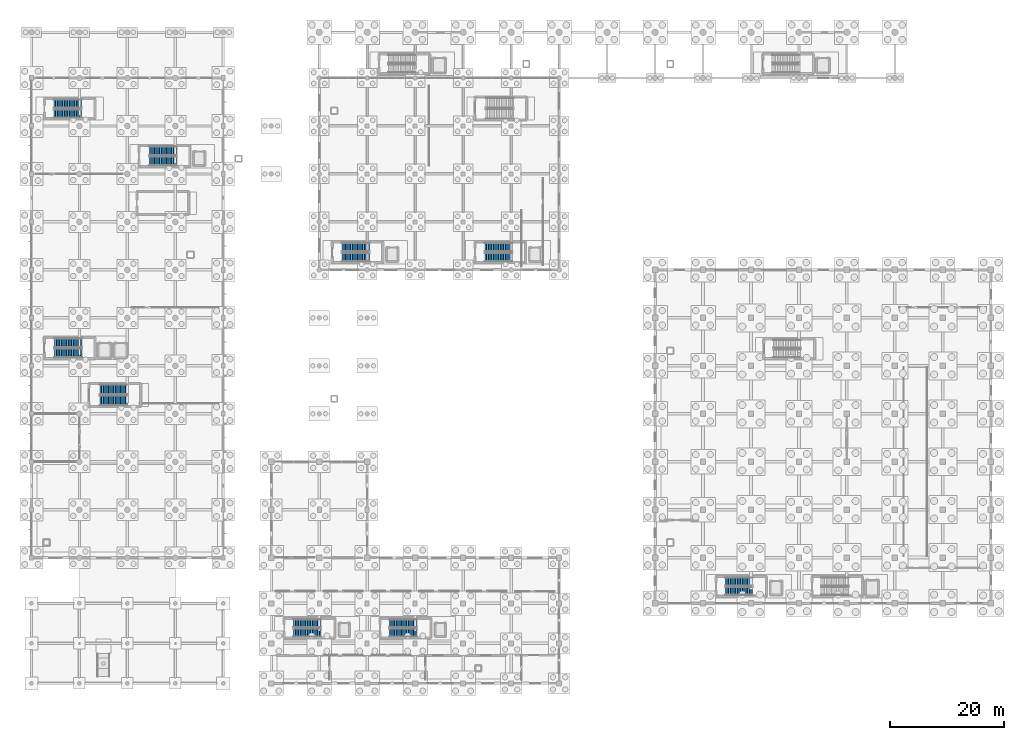
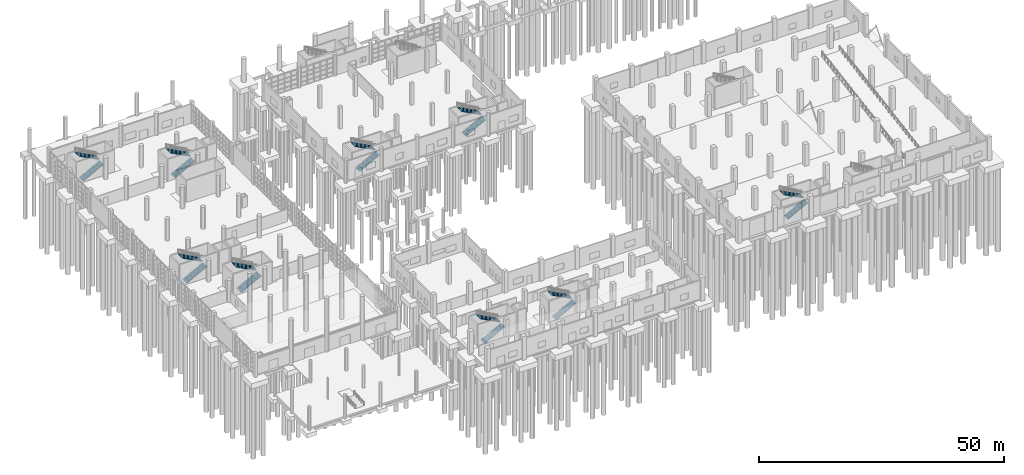
# One storey, part 61 of 83: 18 stair flights, 9 elements without a shape of their own.
"""IFC4 building model written with IfcOpenShell, lengths in metres."""

from ifc_helpers import new_model, si_unit, direction, frame, origin, place, context, subcontext, project, spatial, polyline, outline, extrude, material, layer, layer_set, type_object, element, aggregate, save


model = new_model("IFC4")

# Units and contexts
model_context = context("Model", 3, precision=1e-05, world=origin(), true_north=direction((0.0, 1.0)))
body_context = subcontext(model_context, "Body", "Model", "MODEL_VIEW")
ifc_project = project(units=[si_unit("LENGTHUNIT", "METRE"), si_unit("AREAUNIT", "SQUARE_METRE"), si_unit("VOLUMEUNIT", "CUBIC_METRE"), si_unit("PLANEANGLEUNIT", "RADIAN"), si_unit("MASSUNIT", "GRAM", prefix="KILO"), si_unit("THERMODYNAMICTEMPERATUREUNIT", "KELVIN"), si_unit("POWERUNIT", "WATT")], contexts=[model_context])

# Site, building, storey
site_placement = place(None, origin())
site = spatial("IfcSite", under=ifc_project, at=site_placement, CompositionType="ELEMENT")
building_placement = place(site_placement, origin())
building = spatial("IfcBuilding", under=site, at=building_placement, Name="Mavoryth Pier Ferry Terminal", CompositionType="ELEMENT")
storey_placement = place(building_placement, origin())
storey = spatial("IfcBuildingStorey", under=building, at=storey_placement, Name="L00", CompositionType="ELEMENT", Elevation=0.0)

# Stair, stair flights
ifc_material = material(Name="Concrete C35/45", Category="concrete")
stair_type_1 = type_object("IfcStairType", Name="Stair-Core-W1500", PredefinedType="TWO_STRAIGHT_RUN_STAIR", material=ifc_material)
stair_1_placement = place(storey_placement, origin())
stair_1 = element("IfcStair", 1, at=stair_1_placement, inside=storey, type_object=stair_type_1, Name="L00 Core C4A Stair", PredefinedType="TWO_STRAIGHT_RUN_STAIR")
ifc_layer_1 = layer(ifc_material, 0.14990234375, Name="Concrete C35/45", Category="concrete")
ifc_layer_set_1 = layer_set([ifc_layer_1], Name="Concrete C35/45 - Flight-Core-W1500")
stair_flight_type_1 = type_object("IfcStairFlightType", Name="Flight-Core-W1500", PredefinedType="STRAIGHT", material=ifc_layer_set_1)
stair_flight_1_placement = place(storey_placement, frame((121.5, 16.14990234375, 0.0), z_axis=(0.0, 0.0, 1.0), x_axis=(1.0, 0.0, 0.0)))
stair_flight_1 = element("IfcStairFlight", 2, at=stair_flight_1_placement, type_object=stair_flight_type_1, Name="ST08 flight 1", NumberOfRisers=17, NumberOfTreads=16, PredefinedType="STRAIGHT", RiserHeight=0.16, TreadLength=0.3, context=body_context, shape_type="SweptSolid", body=[
    extrude(outline(polyline([(0.0, 0.0), (0.0, 0.159912109375), (0.300048828125, 0.159912109375), (0.300048828125, 0.320068359375), (0.60009765625, 0.320068359375), (0.60009765625, 0.47998046875), (0.89990234375, 0.47998046875), (0.89990234375, 0.639892578125), (1.199951171875, 0.639892578125), (1.199951171875, 0.800048828125), (1.5, 0.800048828125), (1.5, 0.9599609375), (1.800048828125, 0.9599609375), (1.800048828125, 1.1201171875), (2.10009765625, 1.1201171875), (2.10009765625, 1.280029296875), (2.39990234375, 1.280029296875), (2.39990234375, 1.43994140625), (2.699951171875, 1.43994140625), (2.699951171875, 1.60009765625), (3.0, 1.60009765625), (3.0, 1.760009765625), (3.300048828125, 1.760009765625), (3.300048828125, 1.919921875), (3.60009765625, 1.919921875), (3.60009765625, 2.080078125), (3.89990234375, 2.080078125), (3.89990234375, 2.239990234375), (4.199951171875, 2.239990234375), (4.199951171875, 2.39990234375), (4.5, 2.39990234375), (4.5, 2.56005859375), (4.800048828125, 2.56005859375), (4.800048828125, 2.719970703125), (4.800048828125, 2.39013671875), (0.318603515625, 0.0), (0.0, 0.0)])), frame((0.0, 0.75, 0.0), z_axis=(0.0, -1.0, 0.0), x_axis=(1.0, 0.0, 0.0)), (0.0, 0.0, 1.0), 1.5),
])
stair_flight_2_placement = place(storey_placement, frame((126.300048828125, 17.800048828125, 2.719970703125), z_axis=(0.0, 0.0, 1.0), x_axis=(-1.0, 0.0, 0.0)))
stair_flight_2 = element("IfcStairFlight", 3, at=stair_flight_2_placement, type_object=stair_flight_type_1, Name="ST08 flight 2", NumberOfRisers=17, NumberOfTreads=16, PredefinedType="STRAIGHT", RiserHeight=0.16, TreadLength=0.3, context=body_context, shape_type="SweptSolid", body=[
    extrude(outline(polyline([(0.0, 0.0), (0.0, 0.159912109375), (0.300048828125, 0.159912109375), (0.300048828125, 0.320068359375), (0.60009765625, 0.320068359375), (0.60009765625, 0.47998046875), (0.89990234375, 0.47998046875), (0.89990234375, 0.639892578125), (1.199951171875, 0.639892578125), (1.199951171875, 0.800048828125), (1.5, 0.800048828125), (1.5, 0.9599609375), (1.800048828125, 0.9599609375), (1.800048828125, 1.1201171875), (2.10009765625, 1.1201171875), (2.10009765625, 1.280029296875), (2.39990234375, 1.280029296875), (2.39990234375, 1.43994140625), (2.699951171875, 1.43994140625), (2.699951171875, 1.60009765625), (3.0, 1.60009765625), (3.0, 1.760009765625), (3.300048828125, 1.760009765625), (3.300048828125, 1.919921875), (3.60009765625, 1.919921875), (3.60009765625, 2.080078125), (3.89990234375, 2.080078125), (3.89990234375, 2.239990234375), (4.199951171875, 2.239990234375), (4.199951171875, 2.39990234375), (4.5, 2.39990234375), (4.5, 2.56005859375), (4.800048828125, 2.56005859375), (4.800048828125, 2.719970703125), (4.800048828125, 2.39013671875), (0.318603515625, 0.0), (0.0, 0.0)])), frame((0.0, 0.75, 0.0), z_axis=(0.0, -1.0, 0.0), x_axis=(1.0, 0.0, 0.0)), (0.0, 0.0, 1.0), 1.5),
])
aggregate(stair_1, [stair_flight_1, stair_flight_2])

stair_2_placement = place(storey_placement, origin())
stair_2 = element("IfcStair", 4, at=stair_2_placement, inside=storey, type_object=stair_type_1, Name="L00 Core C5A Stair", PredefinedType="TWO_STRAIGHT_RUN_STAIR")
stair_flight_3_placement = place(storey_placement, frame((45.89990234375, 8.85009765625, 0.0), z_axis=(0.0, 0.0, 1.0), x_axis=(1.0, 0.0, 0.0)))
stair_flight_3 = element("IfcStairFlight", 5, at=stair_flight_3_placement, type_object=stair_flight_type_1, Name="ST11 flight 1", NumberOfRisers=17, NumberOfTreads=16, PredefinedType="STRAIGHT", RiserHeight=0.16, TreadLength=0.3, context=body_context, shape_type="SweptSolid", body=[
    extrude(outline(polyline([(0.0, 0.0), (0.0, 0.159912109375), (0.300048828125, 0.159912109375), (0.300048828125, 0.320068359375), (0.60009765625, 0.320068359375), (0.60009765625, 0.47998046875), (0.89990234375, 0.47998046875), (0.89990234375, 0.639892578125), (1.199951171875, 0.639892578125), (1.199951171875, 0.800048828125), (1.5, 0.800048828125), (1.5, 0.9599609375), (1.800048828125, 0.9599609375), (1.800048828125, 1.1201171875), (2.10009765625, 1.1201171875), (2.10009765625, 1.280029296875), (2.39990234375, 1.280029296875), (2.39990234375, 1.43994140625), (2.699951171875, 1.43994140625), (2.699951171875, 1.60009765625), (3.0, 1.60009765625), (3.0, 1.760009765625), (3.300048828125, 1.760009765625), (3.300048828125, 1.919921875), (3.60009765625, 1.919921875), (3.60009765625, 2.080078125), (3.89990234375, 2.080078125), (3.89990234375, 2.239990234375), (4.199951171875, 2.239990234375), (4.199951171875, 2.39990234375), (4.5, 2.39990234375), (4.5, 2.56005859375), (4.800048828125, 2.56005859375), (4.800048828125, 2.719970703125), (4.800048828125, 2.39013671875), (0.318603515625, 0.0), (0.0, 0.0)])), frame((0.0, 0.75, 0.0), z_axis=(0.0, -1.0, 0.0), x_axis=(1.0, 0.0, 0.0)), (0.0, 0.0, 1.0), 1.5),
])
stair_flight_4_placement = place(storey_placement, frame((50.699951171875, 10.5, 2.719970703125), z_axis=(0.0, 0.0, 1.0), x_axis=(-1.0, 0.0, 0.0)))
stair_flight_4 = element("IfcStairFlight", 6, at=stair_flight_4_placement, type_object=stair_flight_type_1, Name="ST11 flight 2", NumberOfRisers=17, NumberOfTreads=16, PredefinedType="STRAIGHT", RiserHeight=0.16, TreadLength=0.3, context=body_context, shape_type="SweptSolid", body=[
    extrude(outline(polyline([(0.0, 0.0), (0.0, 0.159912109375), (0.300048828125, 0.159912109375), (0.300048828125, 0.320068359375), (0.60009765625, 0.320068359375), (0.60009765625, 0.47998046875), (0.89990234375, 0.47998046875), (0.89990234375, 0.639892578125), (1.199951171875, 0.639892578125), (1.199951171875, 0.800048828125), (1.5, 0.800048828125), (1.5, 0.9599609375), (1.800048828125, 0.9599609375), (1.800048828125, 1.1201171875), (2.10009765625, 1.1201171875), (2.10009765625, 1.280029296875), (2.39990234375, 1.280029296875), (2.39990234375, 1.43994140625), (2.699951171875, 1.43994140625), (2.699951171875, 1.60009765625), (3.0, 1.60009765625), (3.0, 1.760009765625), (3.300048828125, 1.760009765625), (3.300048828125, 1.919921875), (3.60009765625, 1.919921875), (3.60009765625, 2.080078125), (3.89990234375, 2.080078125), (3.89990234375, 2.239990234375), (4.199951171875, 2.239990234375), (4.199951171875, 2.39990234375), (4.5, 2.39990234375), (4.5, 2.56005859375), (4.800048828125, 2.56005859375), (4.800048828125, 2.719970703125), (4.800048828125, 2.39013671875), (0.318603515625, 0.0), (0.0, 0.0)])), frame((0.0, 0.75, 0.0), z_axis=(0.0, -1.0, 0.0), x_axis=(1.0, 0.0, 0.0)), (0.0, 0.0, 1.0), 1.5),
])
aggregate(stair_2, [stair_flight_3, stair_flight_4])

stair_3_placement = place(storey_placement, origin())
stair_3 = element("IfcStair", 7, at=stair_3_placement, inside=storey, type_object=stair_type_1, Name="L00 Core C5B Stair", PredefinedType="TWO_STRAIGHT_RUN_STAIR")
stair_flight_5_placement = place(storey_placement, frame((62.699951171875, 8.85009765625, 0.0), z_axis=(0.0, 0.0, 1.0), x_axis=(1.0, 0.0, 0.0)))
stair_flight_5 = element("IfcStairFlight", 8, at=stair_flight_5_placement, type_object=stair_flight_type_1, Name="ST12 flight 1", NumberOfRisers=17, NumberOfTreads=16, PredefinedType="STRAIGHT", RiserHeight=0.16, TreadLength=0.3, context=body_context, shape_type="SweptSolid", body=[
    extrude(outline(polyline([(0.0, 0.0), (0.0, 0.159912109375), (0.300048828125, 0.159912109375), (0.300048828125, 0.320068359375), (0.60009765625, 0.320068359375), (0.60009765625, 0.47998046875), (0.89990234375, 0.47998046875), (0.89990234375, 0.639892578125), (1.199951171875, 0.639892578125), (1.199951171875, 0.800048828125), (1.5, 0.800048828125), (1.5, 0.9599609375), (1.800048828125, 0.9599609375), (1.800048828125, 1.1201171875), (2.10009765625, 1.1201171875), (2.10009765625, 1.280029296875), (2.39990234375, 1.280029296875), (2.39990234375, 1.43994140625), (2.699951171875, 1.43994140625), (2.699951171875, 1.60009765625), (3.0, 1.60009765625), (3.0, 1.760009765625), (3.300048828125, 1.760009765625), (3.300048828125, 1.919921875), (3.60009765625, 1.919921875), (3.60009765625, 2.080078125), (3.89990234375, 2.080078125), (3.89990234375, 2.239990234375), (4.199951171875, 2.239990234375), (4.199951171875, 2.39990234375), (4.5, 2.39990234375), (4.5, 2.56005859375), (4.800048828125, 2.56005859375), (4.800048828125, 2.719970703125), (4.800048828125, 2.39013671875), (0.318603515625, 0.0), (0.0, 0.0)])), frame((0.0, 0.75, 0.0), z_axis=(0.0, -1.0, 0.0), x_axis=(1.0, 0.0, 0.0)), (0.0, 0.0, 1.0), 1.5),
])
stair_flight_6_placement = place(storey_placement, frame((67.5, 10.5, 2.719970703125), z_axis=(0.0, 0.0, 1.0), x_axis=(-1.0, 0.0, 0.0)))
stair_flight_6 = element("IfcStairFlight", 9, at=stair_flight_6_placement, type_object=stair_flight_type_1, Name="ST12 flight 2", NumberOfRisers=17, NumberOfTreads=16, PredefinedType="STRAIGHT", RiserHeight=0.16, TreadLength=0.3, context=body_context, shape_type="SweptSolid", body=[
    extrude(outline(polyline([(0.0, 0.0), (0.0, 0.159912109375), (0.300048828125, 0.159912109375), (0.300048828125, 0.320068359375), (0.60009765625, 0.320068359375), (0.60009765625, 0.47998046875), (0.89990234375, 0.47998046875), (0.89990234375, 0.639892578125), (1.199951171875, 0.639892578125), (1.199951171875, 0.800048828125), (1.5, 0.800048828125), (1.5, 0.9599609375), (1.800048828125, 0.9599609375), (1.800048828125, 1.1201171875), (2.10009765625, 1.1201171875), (2.10009765625, 1.280029296875), (2.39990234375, 1.280029296875), (2.39990234375, 1.43994140625), (2.699951171875, 1.43994140625), (2.699951171875, 1.60009765625), (3.0, 1.60009765625), (3.0, 1.760009765625), (3.300048828125, 1.760009765625), (3.300048828125, 1.919921875), (3.60009765625, 1.919921875), (3.60009765625, 2.080078125), (3.89990234375, 2.080078125), (3.89990234375, 2.239990234375), (4.199951171875, 2.239990234375), (4.199951171875, 2.39990234375), (4.5, 2.39990234375), (4.5, 2.56005859375), (4.800048828125, 2.56005859375), (4.800048828125, 2.719970703125), (4.800048828125, 2.39013671875), (0.318603515625, 0.0), (0.0, 0.0)])), frame((0.0, 0.75, 0.0), z_axis=(0.0, -1.0, 0.0), x_axis=(1.0, 0.0, 0.0)), (0.0, 0.0, 1.0), 1.5),
])
aggregate(stair_3, [stair_flight_5, stair_flight_6])

stair_type_2 = type_object("IfcStairType", Name="Stair-Core-W1550", PredefinedType="TWO_STRAIGHT_RUN_STAIR", material=ifc_material)
stair_4_placement = place(storey_placement, origin())
stair_4 = element("IfcStair", 10, at=stair_4_placement, inside=storey, type_object=stair_type_2, Name="L00 Core C1C Stair", PredefinedType="TWO_STRAIGHT_RUN_STAIR")
ifc_layer_2 = layer(ifc_material, 0.14990234375, Name="Concrete C35/45", Category="concrete")
ifc_layer_set_2 = layer_set([ifc_layer_2], Name="Concrete C35/45 - Flight-Core-W1550")
stair_flight_type_2 = type_object("IfcStairFlightType", Name="Flight-Core-W1550", PredefinedType="STRAIGHT", material=ifc_layer_set_2)
stair_flight_7_placement = place(storey_placement, frame((3.949951171875, 99.77490234375, 0.0), z_axis=(0.0, 0.0, 1.0), x_axis=(1.0, 0.0, 0.0)))
stair_flight_7 = element("IfcStairFlight", 11, at=stair_flight_7_placement, type_object=stair_flight_type_2, Name="ST03 flight 1", NumberOfRisers=17, NumberOfTreads=16, PredefinedType="STRAIGHT", RiserHeight=0.16, TreadLength=0.3, context=body_context, shape_type="SweptSolid", body=[
    extrude(outline(polyline([(0.0, 0.0), (0.0, 0.159912109375), (0.300048828125, 0.159912109375), (0.300048828125, 0.320068359375), (0.60009765625, 0.320068359375), (0.60009765625, 0.47998046875), (0.89990234375, 0.47998046875), (0.89990234375, 0.639892578125), (1.199951171875, 0.639892578125), (1.199951171875, 0.800048828125), (1.5, 0.800048828125), (1.5, 0.9599609375), (1.800048828125, 0.9599609375), (1.800048828125, 1.1201171875), (2.10009765625, 1.1201171875), (2.10009765625, 1.280029296875), (2.39990234375, 1.280029296875), (2.39990234375, 1.43994140625), (2.699951171875, 1.43994140625), (2.699951171875, 1.60009765625), (3.0, 1.60009765625), (3.0, 1.760009765625), (3.300048828125, 1.760009765625), (3.300048828125, 1.919921875), (3.60009765625, 1.919921875), (3.60009765625, 2.080078125), (3.89990234375, 2.080078125), (3.89990234375, 2.239990234375), (4.199951171875, 2.239990234375), (4.199951171875, 2.39990234375), (4.5, 2.39990234375), (4.5, 2.56005859375), (4.800048828125, 2.56005859375), (4.800048828125, 2.719970703125), (4.800048828125, 2.39013671875), (0.318603515625, 0.0), (0.0, 0.0)])), frame((0.0, 0.77490234375, 0.0), z_axis=(0.0, -1.0, 0.0), x_axis=(1.0, 0.0, 0.0)), (0.0, 0.0, 1.0), 1.550048828125),
])
stair_flight_8_placement = place(storey_placement, frame((8.75, 101.47509765625, 2.719970703125), z_axis=(0.0, 0.0, 1.0), x_axis=(-1.0, 0.0, 0.0)))
stair_flight_8 = element("IfcStairFlight", 12, at=stair_flight_8_placement, type_object=stair_flight_type_2, Name="ST03 flight 2", NumberOfRisers=17, NumberOfTreads=16, PredefinedType="STRAIGHT", RiserHeight=0.16, TreadLength=0.3, context=body_context, shape_type="SweptSolid", body=[
    extrude(outline(polyline([(0.0, 0.0), (0.0, 0.159912109375), (0.300048828125, 0.159912109375), (0.300048828125, 0.320068359375), (0.60009765625, 0.320068359375), (0.60009765625, 0.47998046875), (0.89990234375, 0.47998046875), (0.89990234375, 0.639892578125), (1.199951171875, 0.639892578125), (1.199951171875, 0.800048828125), (1.5, 0.800048828125), (1.5, 0.9599609375), (1.800048828125, 0.9599609375), (1.800048828125, 1.1201171875), (2.10009765625, 1.1201171875), (2.10009765625, 1.280029296875), (2.39990234375, 1.280029296875), (2.39990234375, 1.43994140625), (2.699951171875, 1.43994140625), (2.699951171875, 1.60009765625), (3.0, 1.60009765625), (3.0, 1.760009765625), (3.300048828125, 1.760009765625), (3.300048828125, 1.919921875), (3.60009765625, 1.919921875), (3.60009765625, 2.080078125), (3.89990234375, 2.080078125), (3.89990234375, 2.239990234375), (4.199951171875, 2.239990234375), (4.199951171875, 2.39990234375), (4.5, 2.39990234375), (4.5, 2.56005859375), (4.800048828125, 2.56005859375), (4.800048828125, 2.719970703125), (4.800048828125, 2.39013671875), (0.318603515625, 0.0), (0.0, 0.0)])), frame((0.0, 0.77490234375, 0.0), z_axis=(0.0, -1.0, 0.0), x_axis=(1.0, 0.0, 0.0)), (0.0, 0.0, 1.0), 1.550048828125),
])
aggregate(stair_4, [stair_flight_7, stair_flight_8])

stair_type_3 = type_object("IfcStairType", Name="Stair-Core-W1600", PredefinedType="TWO_STRAIGHT_RUN_STAIR", material=ifc_material)
stair_5_placement = place(storey_placement, origin())
stair_5 = element("IfcStair", 13, at=stair_5_placement, inside=storey, type_object=stair_type_3, Name="L00 Core C2A Stair", PredefinedType="TWO_STRAIGHT_RUN_STAIR")
ifc_layer_3 = layer(ifc_material, 0.159912109375, Name="Concrete C35/45", Category="concrete")
ifc_layer_set_3 = layer_set([ifc_layer_3], Name="Concrete C35/45 - Flight-Core-W1600")
stair_flight_type_3 = type_object("IfcStairFlightType", Name="Flight-Core-W1600", PredefinedType="STRAIGHT", material=ifc_layer_set_3)
stair_flight_9_placement = place(storey_placement, frame((54.39990234375, 74.60009765625, 0.0), z_axis=(0.0, 0.0, 1.0), x_axis=(1.0, 0.0, 0.0)))
stair_flight_9 = element("IfcStairFlight", 14, at=stair_flight_9_placement, type_object=stair_flight_type_3, Name="ST04 flight 1", NumberOfRisers=17, NumberOfTreads=16, PredefinedType="STRAIGHT", RiserHeight=0.16, TreadLength=0.3, context=body_context, shape_type="SweptSolid", body=[
    extrude(outline(polyline([(0.0, 0.0), (0.0, 0.159912109375), (0.300048828125, 0.159912109375), (0.300048828125, 0.320068359375), (0.60009765625, 0.320068359375), (0.60009765625, 0.47998046875), (0.89990234375, 0.47998046875), (0.89990234375, 0.639892578125), (1.199951171875, 0.639892578125), (1.199951171875, 0.800048828125), (1.5, 0.800048828125), (1.5, 0.9599609375), (1.800048828125, 0.9599609375), (1.800048828125, 1.1201171875), (2.10009765625, 1.1201171875), (2.10009765625, 1.280029296875), (2.39990234375, 1.280029296875), (2.39990234375, 1.43994140625), (2.699951171875, 1.43994140625), (2.699951171875, 1.60009765625), (3.0, 1.60009765625), (3.0, 1.760009765625), (3.300048828125, 1.760009765625), (3.300048828125, 1.919921875), (3.60009765625, 1.919921875), (3.60009765625, 2.080078125), (3.89990234375, 2.080078125), (3.89990234375, 2.239990234375), (4.199951171875, 2.239990234375), (4.199951171875, 2.39990234375), (4.5, 2.39990234375), (4.5, 2.56005859375), (4.800048828125, 2.56005859375), (4.800048828125, 2.719970703125), (4.800048828125, 2.39013671875), (0.318603515625, 0.0), (0.0, 0.0)])), frame((0.0, 0.800048828125, 0.0), z_axis=(0.0, -1.0, 0.0), x_axis=(1.0, 0.0, 0.0)), (0.0, 0.0, 1.0), 1.60009765625),
])
stair_flight_10_placement = place(storey_placement, frame((59.199951171875, 76.35009765625, 2.719970703125), z_axis=(0.0, 0.0, 1.0), x_axis=(-1.0, 0.0, 0.0)))
stair_flight_10 = element("IfcStairFlight", 15, at=stair_flight_10_placement, type_object=stair_flight_type_3, Name="ST04 flight 2", NumberOfRisers=17, NumberOfTreads=16, PredefinedType="STRAIGHT", RiserHeight=0.16, TreadLength=0.3, context=body_context, shape_type="SweptSolid", body=[
    extrude(outline(polyline([(0.0, 0.0), (0.0, 0.159912109375), (0.300048828125, 0.159912109375), (0.300048828125, 0.320068359375), (0.60009765625, 0.320068359375), (0.60009765625, 0.47998046875), (0.89990234375, 0.47998046875), (0.89990234375, 0.639892578125), (1.199951171875, 0.639892578125), (1.199951171875, 0.800048828125), (1.5, 0.800048828125), (1.5, 0.9599609375), (1.800048828125, 0.9599609375), (1.800048828125, 1.1201171875), (2.10009765625, 1.1201171875), (2.10009765625, 1.280029296875), (2.39990234375, 1.280029296875), (2.39990234375, 1.43994140625), (2.699951171875, 1.43994140625), (2.699951171875, 1.60009765625), (3.0, 1.60009765625), (3.0, 1.760009765625), (3.300048828125, 1.760009765625), (3.300048828125, 1.919921875), (3.60009765625, 1.919921875), (3.60009765625, 2.080078125), (3.89990234375, 2.080078125), (3.89990234375, 2.239990234375), (4.199951171875, 2.239990234375), (4.199951171875, 2.39990234375), (4.5, 2.39990234375), (4.5, 2.56005859375), (4.800048828125, 2.56005859375), (4.800048828125, 2.719970703125), (4.800048828125, 2.39013671875), (0.318603515625, 0.0), (0.0, 0.0)])), frame((0.0, 0.800048828125, 0.0), z_axis=(0.0, -1.0, 0.0), x_axis=(1.0, 0.0, 0.0)), (0.0, 0.0, 1.0), 1.60009765625),
])
aggregate(stair_5, [stair_flight_9, stair_flight_10])

stair_6_placement = place(storey_placement, origin())
stair_6 = element("IfcStair", 16, at=stair_6_placement, inside=storey, type_object=stair_type_3, Name="L00 Core C2B Stair", PredefinedType="TWO_STRAIGHT_RUN_STAIR")
stair_flight_11_placement = place(storey_placement, frame((79.39990234375, 74.60009765625, 0.0), z_axis=(0.0, 0.0, 1.0), x_axis=(1.0, 0.0, 0.0)))
stair_flight_11 = element("IfcStairFlight", 17, at=stair_flight_11_placement, type_object=stair_flight_type_3, Name="ST05 flight 1", NumberOfRisers=17, NumberOfTreads=16, PredefinedType="STRAIGHT", RiserHeight=0.16, TreadLength=0.3, context=body_context, shape_type="SweptSolid", body=[
    extrude(outline(polyline([(0.0, 0.0), (0.0, 0.159912109375), (0.300048828125, 0.159912109375), (0.300048828125, 0.320068359375), (0.60009765625, 0.320068359375), (0.60009765625, 0.47998046875), (0.89990234375, 0.47998046875), (0.89990234375, 0.639892578125), (1.199951171875, 0.639892578125), (1.199951171875, 0.800048828125), (1.5, 0.800048828125), (1.5, 0.9599609375), (1.800048828125, 0.9599609375), (1.800048828125, 1.1201171875), (2.10009765625, 1.1201171875), (2.10009765625, 1.280029296875), (2.39990234375, 1.280029296875), (2.39990234375, 1.43994140625), (2.699951171875, 1.43994140625), (2.699951171875, 1.60009765625), (3.0, 1.60009765625), (3.0, 1.760009765625), (3.300048828125, 1.760009765625), (3.300048828125, 1.919921875), (3.60009765625, 1.919921875), (3.60009765625, 2.080078125), (3.89990234375, 2.080078125), (3.89990234375, 2.239990234375), (4.199951171875, 2.239990234375), (4.199951171875, 2.39990234375), (4.5, 2.39990234375), (4.5, 2.56005859375), (4.800048828125, 2.56005859375), (4.800048828125, 2.719970703125), (4.800048828125, 2.39013671875), (0.318603515625, 0.0), (0.0, 0.0)])), frame((0.0, 0.800048828125, 0.0), z_axis=(0.0, -1.0, 0.0), x_axis=(1.0, 0.0, 0.0)), (0.0, 0.0, 1.0), 1.60009765625),
])
stair_flight_12_placement = place(storey_placement, frame((84.199951171875, 76.35009765625, 2.719970703125), z_axis=(0.0, 0.0, 1.0), x_axis=(-1.0, 0.0, 0.0)))
stair_flight_12 = element("IfcStairFlight", 18, at=stair_flight_12_placement, type_object=stair_flight_type_3, Name="ST05 flight 2", NumberOfRisers=17, NumberOfTreads=16, PredefinedType="STRAIGHT", RiserHeight=0.16, TreadLength=0.3, context=body_context, shape_type="SweptSolid", body=[
    extrude(outline(polyline([(0.0, 0.0), (0.0, 0.159912109375), (0.300048828125, 0.159912109375), (0.300048828125, 0.320068359375), (0.60009765625, 0.320068359375), (0.60009765625, 0.47998046875), (0.89990234375, 0.47998046875), (0.89990234375, 0.639892578125), (1.199951171875, 0.639892578125), (1.199951171875, 0.800048828125), (1.5, 0.800048828125), (1.5, 0.9599609375), (1.800048828125, 0.9599609375), (1.800048828125, 1.1201171875), (2.10009765625, 1.1201171875), (2.10009765625, 1.280029296875), (2.39990234375, 1.280029296875), (2.39990234375, 1.43994140625), (2.699951171875, 1.43994140625), (2.699951171875, 1.60009765625), (3.0, 1.60009765625), (3.0, 1.760009765625), (3.300048828125, 1.760009765625), (3.300048828125, 1.919921875), (3.60009765625, 1.919921875), (3.60009765625, 2.080078125), (3.89990234375, 2.080078125), (3.89990234375, 2.239990234375), (4.199951171875, 2.239990234375), (4.199951171875, 2.39990234375), (4.5, 2.39990234375), (4.5, 2.56005859375), (4.800048828125, 2.56005859375), (4.800048828125, 2.719970703125), (4.800048828125, 2.39013671875), (0.318603515625, 0.0), (0.0, 0.0)])), frame((0.0, 0.800048828125, 0.0), z_axis=(0.0, -1.0, 0.0), x_axis=(1.0, 0.0, 0.0)), (0.0, 0.0, 1.0), 1.60009765625),
])
aggregate(stair_6, [stair_flight_11, stair_flight_12])

stair_type_4 = type_object("IfcStairType", Name="Stair-Core-W1650", PredefinedType="TWO_STRAIGHT_RUN_STAIR", material=ifc_material)
stair_7_placement = place(storey_placement, origin())
stair_7 = element("IfcStair", 19, at=stair_7_placement, inside=storey, type_object=stair_type_4, Name="L00 Core C1A Stair", PredefinedType="TWO_STRAIGHT_RUN_STAIR")
ifc_layer_4 = layer(ifc_material, 0.159912109375, Name="Concrete C35/45", Category="concrete")
ifc_layer_set_4 = layer_set([ifc_layer_4], Name="Concrete C35/45 - Flight-Core-W1650")
stair_flight_type_4 = type_object("IfcStairFlightType", Name="Flight-Core-W1650", PredefinedType="STRAIGHT", material=ifc_layer_set_4)
stair_flight_13_placement = place(storey_placement, frame((4.050048828125, 57.824951171875, 0.0), z_axis=(0.0, 0.0, 1.0), x_axis=(1.0, 0.0, 0.0)))
stair_flight_13 = element("IfcStairFlight", 20, at=stair_flight_13_placement, type_object=stair_flight_type_4, Name="ST01 flight 1", NumberOfRisers=17, NumberOfTreads=16, PredefinedType="STRAIGHT", RiserHeight=0.16, TreadLength=0.3, context=body_context, shape_type="SweptSolid", body=[
    extrude(outline(polyline([(0.0, 0.0), (0.0, 0.159912109375), (0.300048828125, 0.159912109375), (0.300048828125, 0.320068359375), (0.60009765625, 0.320068359375), (0.60009765625, 0.47998046875), (0.89990234375, 0.47998046875), (0.89990234375, 0.639892578125), (1.199951171875, 0.639892578125), (1.199951171875, 0.800048828125), (1.5, 0.800048828125), (1.5, 0.9599609375), (1.800048828125, 0.9599609375), (1.800048828125, 1.1201171875), (2.10009765625, 1.1201171875), (2.10009765625, 1.280029296875), (2.39990234375, 1.280029296875), (2.39990234375, 1.43994140625), (2.699951171875, 1.43994140625), (2.699951171875, 1.60009765625), (3.0, 1.60009765625), (3.0, 1.760009765625), (3.300048828125, 1.760009765625), (3.300048828125, 1.919921875), (3.60009765625, 1.919921875), (3.60009765625, 2.080078125), (3.89990234375, 2.080078125), (3.89990234375, 2.239990234375), (4.199951171875, 2.239990234375), (4.199951171875, 2.39990234375), (4.5, 2.39990234375), (4.5, 2.56005859375), (4.800048828125, 2.56005859375), (4.800048828125, 2.719970703125), (4.800048828125, 2.39013671875), (0.318603515625, 0.0), (0.0, 0.0)])), frame((0.0, 0.824951171875, 0.0), z_axis=(0.0, -1.0, 0.0), x_axis=(1.0, 0.0, 0.0)), (0.0, 0.0, 1.0), 1.64990234375),
])
stair_flight_14_placement = place(storey_placement, frame((8.85009765625, 59.625, 2.719970703125), z_axis=(0.0, 0.0, 1.0), x_axis=(-1.0, 0.0, 0.0)))
stair_flight_14 = element("IfcStairFlight", 21, at=stair_flight_14_placement, type_object=stair_flight_type_4, Name="ST01 flight 2", NumberOfRisers=17, NumberOfTreads=16, PredefinedType="STRAIGHT", RiserHeight=0.16, TreadLength=0.3, context=body_context, shape_type="SweptSolid", body=[
    extrude(outline(polyline([(0.0, 0.0), (0.0, 0.159912109375), (0.300048828125, 0.159912109375), (0.300048828125, 0.320068359375), (0.60009765625, 0.320068359375), (0.60009765625, 0.47998046875), (0.89990234375, 0.47998046875), (0.89990234375, 0.639892578125), (1.199951171875, 0.639892578125), (1.199951171875, 0.800048828125), (1.5, 0.800048828125), (1.5, 0.9599609375), (1.800048828125, 0.9599609375), (1.800048828125, 1.1201171875), (2.10009765625, 1.1201171875), (2.10009765625, 1.280029296875), (2.39990234375, 1.280029296875), (2.39990234375, 1.43994140625), (2.699951171875, 1.43994140625), (2.699951171875, 1.60009765625), (3.0, 1.60009765625), (3.0, 1.760009765625), (3.300048828125, 1.760009765625), (3.300048828125, 1.919921875), (3.60009765625, 1.919921875), (3.60009765625, 2.080078125), (3.89990234375, 2.080078125), (3.89990234375, 2.239990234375), (4.199951171875, 2.239990234375), (4.199951171875, 2.39990234375), (4.5, 2.39990234375), (4.5, 2.56005859375), (4.800048828125, 2.56005859375), (4.800048828125, 2.719970703125), (4.800048828125, 2.39013671875), (0.318603515625, 0.0), (0.0, 0.0)])), frame((0.0, 0.824951171875, 0.0), z_axis=(0.0, -1.0, 0.0), x_axis=(1.0, 0.0, 0.0)), (0.0, 0.0, 1.0), 1.64990234375),
])
aggregate(stair_7, [stair_flight_13, stair_flight_14])

stair_8_placement = place(storey_placement, origin())
stair_8 = element("IfcStair", 22, at=stair_8_placement, inside=storey, type_object=stair_type_4, Name="L00 Core C1B Stair", PredefinedType="TWO_STRAIGHT_RUN_STAIR")
stair_flight_15_placement = place(storey_placement, frame((20.64990234375, 91.425048828125, 0.0), z_axis=(0.0, 0.0, 1.0), x_axis=(1.0, 0.0, 0.0)))
stair_flight_15 = element("IfcStairFlight", 23, at=stair_flight_15_placement, type_object=stair_flight_type_4, Name="ST02 flight 1", NumberOfRisers=17, NumberOfTreads=16, PredefinedType="STRAIGHT", RiserHeight=0.16, TreadLength=0.3, context=body_context, shape_type="SweptSolid", body=[
    extrude(outline(polyline([(0.0, 0.0), (0.0, 0.159912109375), (0.300048828125, 0.159912109375), (0.300048828125, 0.320068359375), (0.60009765625, 0.320068359375), (0.60009765625, 0.47998046875), (0.89990234375, 0.47998046875), (0.89990234375, 0.639892578125), (1.199951171875, 0.639892578125), (1.199951171875, 0.800048828125), (1.5, 0.800048828125), (1.5, 0.9599609375), (1.800048828125, 0.9599609375), (1.800048828125, 1.1201171875), (2.10009765625, 1.1201171875), (2.10009765625, 1.280029296875), (2.39990234375, 1.280029296875), (2.39990234375, 1.43994140625), (2.699951171875, 1.43994140625), (2.699951171875, 1.60009765625), (3.0, 1.60009765625), (3.0, 1.760009765625), (3.300048828125, 1.760009765625), (3.300048828125, 1.919921875), (3.60009765625, 1.919921875), (3.60009765625, 2.080078125), (3.89990234375, 2.080078125), (3.89990234375, 2.239990234375), (4.199951171875, 2.239990234375), (4.199951171875, 2.39990234375), (4.5, 2.39990234375), (4.5, 2.56005859375), (4.800048828125, 2.56005859375), (4.800048828125, 2.719970703125), (4.800048828125, 2.39013671875), (0.318603515625, 0.0), (0.0, 0.0)])), frame((0.0, 0.824951171875, 0.0), z_axis=(0.0, -1.0, 0.0), x_axis=(1.0, 0.0, 0.0)), (0.0, 0.0, 1.0), 1.64990234375),
])
stair_flight_16_placement = place(storey_placement, frame((25.449951171875, 93.22509765625, 2.719970703125), z_axis=(0.0, 0.0, 1.0), x_axis=(-1.0, 0.0, 0.0)))
stair_flight_16 = element("IfcStairFlight", 24, at=stair_flight_16_placement, type_object=stair_flight_type_4, Name="ST02 flight 2", NumberOfRisers=17, NumberOfTreads=16, PredefinedType="STRAIGHT", RiserHeight=0.16, TreadLength=0.3, context=body_context, shape_type="SweptSolid", body=[
    extrude(outline(polyline([(0.0, 0.0), (0.0, 0.159912109375), (0.300048828125, 0.159912109375), (0.300048828125, 0.320068359375), (0.60009765625, 0.320068359375), (0.60009765625, 0.47998046875), (0.89990234375, 0.47998046875), (0.89990234375, 0.639892578125), (1.199951171875, 0.639892578125), (1.199951171875, 0.800048828125), (1.5, 0.800048828125), (1.5, 0.9599609375), (1.800048828125, 0.9599609375), (1.800048828125, 1.1201171875), (2.10009765625, 1.1201171875), (2.10009765625, 1.280029296875), (2.39990234375, 1.280029296875), (2.39990234375, 1.43994140625), (2.699951171875, 1.43994140625), (2.699951171875, 1.60009765625), (3.0, 1.60009765625), (3.0, 1.760009765625), (3.300048828125, 1.760009765625), (3.300048828125, 1.919921875), (3.60009765625, 1.919921875), (3.60009765625, 2.080078125), (3.89990234375, 2.080078125), (3.89990234375, 2.239990234375), (4.199951171875, 2.239990234375), (4.199951171875, 2.39990234375), (4.5, 2.39990234375), (4.5, 2.56005859375), (4.800048828125, 2.56005859375), (4.800048828125, 2.719970703125), (4.800048828125, 2.39013671875), (0.318603515625, 0.0), (0.0, 0.0)])), frame((0.0, 0.824951171875, 0.0), z_axis=(0.0, -1.0, 0.0), x_axis=(1.0, 0.0, 0.0)), (0.0, 0.0, 1.0), 1.64990234375),
])
aggregate(stair_8, [stair_flight_15, stair_flight_16])

stair_type_5 = type_object("IfcStairType", Name="Stair-Feature-W1800", PredefinedType="TWO_STRAIGHT_RUN_STAIR", material=ifc_material)
stair_9_placement = place(storey_placement, origin())
stair_9 = element("IfcStair", 25, at=stair_9_placement, inside=storey, type_object=stair_type_5, Name="L00 Departure Concourse Grand Stair", PredefinedType="TWO_STRAIGHT_RUN_STAIR")
ifc_layer_5 = layer(ifc_material, 0.179931640625, Name="Concrete C35/45", Category="concrete")
ifc_layer_set_5 = layer_set([ifc_layer_5], Name="Concrete C35/45 - Flight-Feature-W1800")
stair_flight_type_5 = type_object("IfcStairFlightType", Name="Flight-Feature-W1800", PredefinedType="STRAIGHT", material=ifc_layer_set_5)
stair_flight_17_placement = place(storey_placement, frame((12.0, 49.5, 0.0), z_axis=(0.0, 0.0, 1.0), x_axis=(1.0, 0.0, 0.0)))
stair_flight_17 = element("IfcStairFlight", 26, at=stair_flight_17_placement, type_object=stair_flight_type_5, Name="ST13 flight 1", NumberOfRisers=17, NumberOfTreads=16, PredefinedType="STRAIGHT", RiserHeight=0.16, TreadLength=0.3, context=body_context, shape_type="SweptSolid", body=[
    extrude(outline(polyline([(0.0, 0.0), (0.0, 0.159912109375), (0.300048828125, 0.159912109375), (0.300048828125, 0.320068359375), (0.60009765625, 0.320068359375), (0.60009765625, 0.47998046875), (0.89990234375, 0.47998046875), (0.89990234375, 0.639892578125), (1.199951171875, 0.639892578125), (1.199951171875, 0.800048828125), (1.5, 0.800048828125), (1.5, 0.9599609375), (1.800048828125, 0.9599609375), (1.800048828125, 1.1201171875), (2.10009765625, 1.1201171875), (2.10009765625, 1.280029296875), (2.39990234375, 1.280029296875), (2.39990234375, 1.43994140625), (2.699951171875, 1.43994140625), (2.699951171875, 1.60009765625), (3.0, 1.60009765625), (3.0, 1.760009765625), (3.300048828125, 1.760009765625), (3.300048828125, 1.919921875), (3.60009765625, 1.919921875), (3.60009765625, 2.080078125), (3.89990234375, 2.080078125), (3.89990234375, 2.239990234375), (4.199951171875, 2.239990234375), (4.199951171875, 2.39990234375), (4.5, 2.39990234375), (4.5, 2.56005859375), (4.800048828125, 2.56005859375), (4.800048828125, 2.719970703125), (4.800048828125, 2.39013671875), (0.318603515625, 0.0), (0.0, 0.0)])), frame((0.0, 0.89990234375, 0.0), z_axis=(0.0, -1.0, 0.0), x_axis=(1.0, 0.0, 0.0)), (0.0, 0.0, 1.0), 1.800048828125),
])
stair_flight_18_placement = place(storey_placement, frame((16.800048828125, 51.449951171875, 2.719970703125), z_axis=(0.0, 0.0, 1.0), x_axis=(-1.0, 0.0, 0.0)))
stair_flight_18 = element("IfcStairFlight", 27, at=stair_flight_18_placement, type_object=stair_flight_type_5, Name="ST13 flight 2", NumberOfRisers=17, NumberOfTreads=16, PredefinedType="STRAIGHT", RiserHeight=0.16, TreadLength=0.3, context=body_context, shape_type="SweptSolid", body=[
    extrude(outline(polyline([(0.0, 0.0), (0.0, 0.159912109375), (0.300048828125, 0.159912109375), (0.300048828125, 0.320068359375), (0.60009765625, 0.320068359375), (0.60009765625, 0.47998046875), (0.89990234375, 0.47998046875), (0.89990234375, 0.639892578125), (1.199951171875, 0.639892578125), (1.199951171875, 0.800048828125), (1.5, 0.800048828125), (1.5, 0.9599609375), (1.800048828125, 0.9599609375), (1.800048828125, 1.1201171875), (2.10009765625, 1.1201171875), (2.10009765625, 1.280029296875), (2.39990234375, 1.280029296875), (2.39990234375, 1.43994140625), (2.699951171875, 1.43994140625), (2.699951171875, 1.60009765625), (3.0, 1.60009765625), (3.0, 1.760009765625), (3.300048828125, 1.760009765625), (3.300048828125, 1.919921875), (3.60009765625, 1.919921875), (3.60009765625, 2.080078125), (3.89990234375, 2.080078125), (3.89990234375, 2.239990234375), (4.199951171875, 2.239990234375), (4.199951171875, 2.39990234375), (4.5, 2.39990234375), (4.5, 2.56005859375), (4.800048828125, 2.56005859375), (4.800048828125, 2.719970703125), (4.800048828125, 2.39013671875), (0.318603515625, 0.0), (0.0, 0.0)])), frame((0.0, 0.89990234375, 0.0), z_axis=(0.0, -1.0, 0.0), x_axis=(1.0, 0.0, 0.0)), (0.0, 0.0, 1.0), 1.800048828125),
])
aggregate(stair_9, [stair_flight_17, stair_flight_18])

save(model, "model.ifc")
